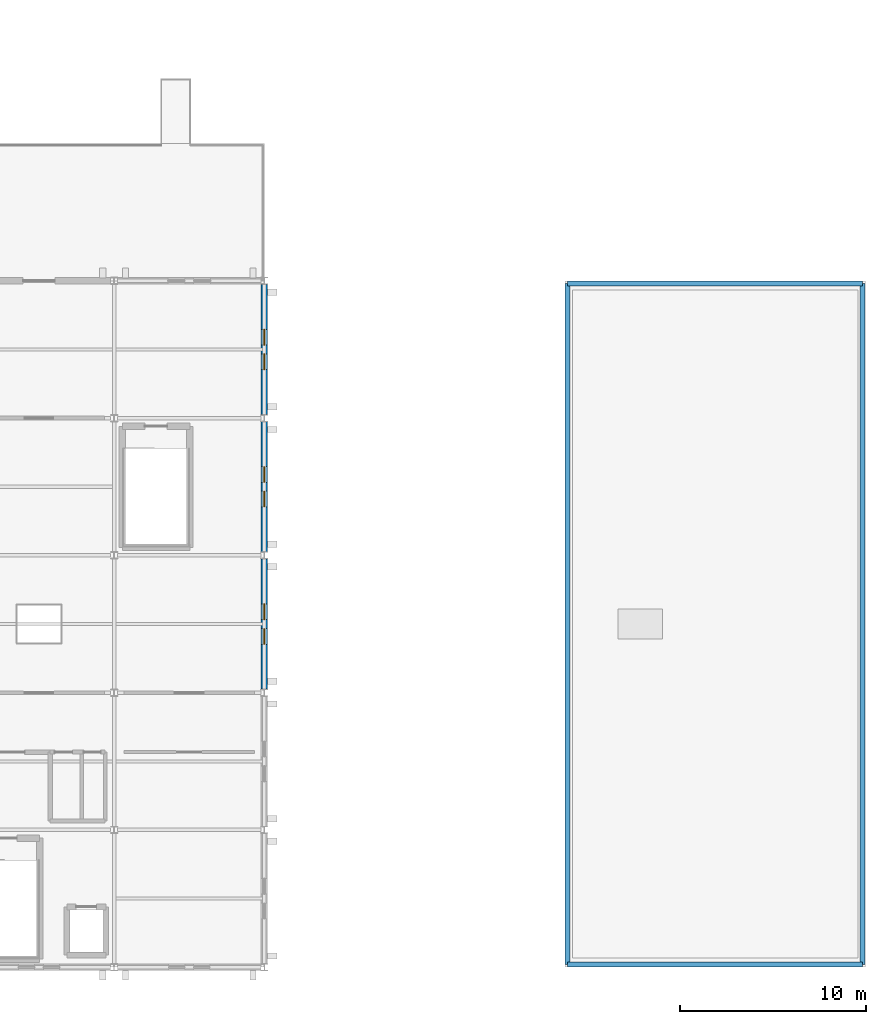
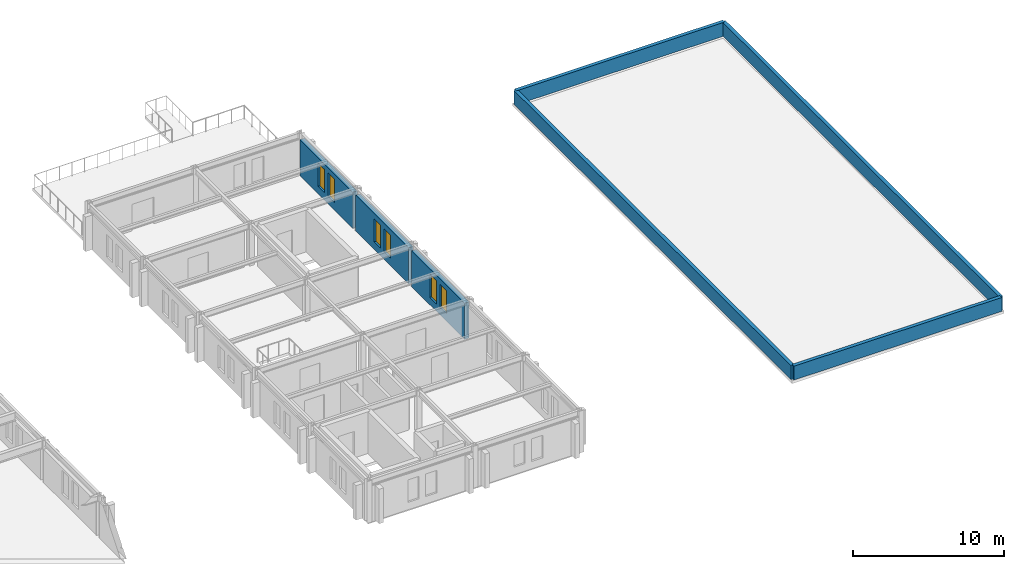
# One storey, part 15 of 19: 7 walls, 6 windows, 6 openings.
"""IFC4 building model written with IfcOpenShell, lengths in metres."""

from ifc_helpers import new_model, si_unit, direction, frame, frame_2d, origin, place, context, subcontext, project, spatial, rectangle, extrude, material, layer, layer_set, type_object, element, fill, save


model = new_model("IFC4")

# Units and contexts
model_context = context("Model", 3, precision=1e-05, world=origin(), true_north=direction((0.0, 1.0)))
body_context = subcontext(model_context, "Body", "Model", "MODEL_VIEW")
ifc_project = project(units=[si_unit("LENGTHUNIT", "METRE"), si_unit("AREAUNIT", "SQUARE_METRE"), si_unit("VOLUMEUNIT", "CUBIC_METRE"), si_unit("PLANEANGLEUNIT", "RADIAN"), si_unit("MASSUNIT", "GRAM", prefix="KILO")], contexts=[model_context])

# Site, building, storey
site_placement = place(None, origin())
site = spatial("IfcSite", under=ifc_project, at=site_placement, CompositionType="ELEMENT")
building_placement = place(site_placement, origin())
building = spatial("IfcBuilding", under=site, at=building_placement, Name="Cimatlan Art Gallery", CompositionType="ELEMENT")
storey_placement = place(building_placement, frame((0.0, 0.0, 17.39990234375)))
storey = spatial("IfcBuildingStorey", under=building, at=storey_placement, Name="L04", CompositionType="ELEMENT", Elevation=17.39990234375)

# Wall, openings, windows
ifc_material_1 = material(Name="Precast concrete C40/50", Category="concrete")
ifc_layer_1 = layer(ifc_material_1, 0.340087890625)
ifc_layer_set_1 = layer_set([ifc_layer_1], Name="Precast concrete C40/50")
wall_type_1 = type_object("IfcWallType", Name="WL-EXT-STD-340", PredefinedType="SOLIDWALL", material=ifc_layer_set_1)
wall_1_placement = place(storey_placement, frame((131.60009765625, 45.909912109375, 0.0), z_axis=(0.0, 0.0, 1.0), x_axis=(0.0, -1.0, 0.0)))
wall_1 = element("IfcWall", 1, at=wall_1_placement, inside=storey, type_object=wall_type_1, Name="WL-EXT-L04-15-05-E", PredefinedType="SOLIDWALL", context=body_context, shape_type="SweptSolid", body=[
    extrude(rectangle(XDim=7.02001953125, YDim=0.340087890625, at=frame_2d((3.510009765625, 0.0))), origin(), (0.0, 0.0, 1.0), 2.908203125),
])
opening_1_placement = place(wall_1_placement, frame((2.419921875, 0.0, 0.60009765625)))
opening_1 = element("IfcOpeningElement", 2, at=opening_1_placement, cuts=wall_1, Name="Opening WN-0387", PredefinedType="OPENING", context=body_context, shape_type="SweptSolid", body=[
    extrude(rectangle(XDim=0.85009765625, YDim=1.8798828125, at=frame_2d((0.425048828125, 0.93994140625))), frame((0.0, 0.18017578125, 0.0), z_axis=(0.0, -1.0, 0.0), x_axis=(1.0, 0.0, 0.0)), (0.0, 0.0, 1.0), 0.360107421875),
])
opening_2_placement = place(wall_1_placement, frame((3.75, 0.0, 0.60009765625)))
opening_2 = element("IfcOpeningElement", 3, at=opening_2_placement, cuts=wall_1, Name="Opening WN-0388", PredefinedType="OPENING", context=body_context, shape_type="SweptSolid", body=[
    extrude(rectangle(XDim=0.85009765625, YDim=1.8798828125, at=frame_2d((0.425048828125, 0.93994140625))), frame((0.0, 0.18017578125, 0.0), z_axis=(0.0, -1.0, 0.0), x_axis=(1.0, 0.0, 0.0)), (0.0, 0.0, 1.0), 0.360107421875),
])
ifc_material_2 = material(Name="Low-E laminated double glazing in bronze lancet frame", Category="glass")
window_type = type_object("IfcWindowType", Name="WIN-E-L04-0850X1880", PartitioningType="SINGLE_PANEL", PredefinedType="WINDOW", material=ifc_material_2)
window_1_placement = place(opening_1_placement, origin())
window_1 = element("IfcWindow", 4, at=window_1_placement, inside=storey, type_object=window_type, Name="WIN-0387", OverallHeight=1.8798828125, OverallWidth=0.85009765625, PartitioningType="SINGLE_PANEL", PredefinedType="WINDOW", context=body_context, shape_type="SweptSolid", body=[
    extrude(rectangle(XDim=0.85009765625, YDim=1.8798828125, at=frame_2d((0.425048828125, 0.93994140625))), frame((0.0, 0.030029296875, 0.0), z_axis=(0.0, -1.0, 0.0), x_axis=(1.0, 0.0, 0.0)), (0.0, 0.0, 1.0), 0.06005859375),
])
fill(opening_1, window_1)
window_2_placement = place(opening_2_placement, origin())
window_2 = element("IfcWindow", 5, at=window_2_placement, inside=storey, type_object=window_type, Name="WIN-0388", OverallHeight=1.8798828125, OverallWidth=0.85009765625, PartitioningType="SINGLE_PANEL", PredefinedType="WINDOW", context=body_context, shape_type="SweptSolid", body=[
    extrude(rectangle(XDim=0.85009765625, YDim=1.8798828125, at=frame_2d((0.425048828125, 0.93994140625))), frame((0.0, 0.030029296875, 0.0), z_axis=(0.0, -1.0, 0.0), x_axis=(1.0, 0.0, 0.0)), (0.0, 0.0, 1.0), 0.06005859375),
])
fill(opening_2, window_2)

wall_2_placement = place(storey_placement, frame((131.60009765625, 53.31005859375, 0.0), z_axis=(0.0, 0.0, 1.0), x_axis=(0.0, -1.0, 0.0)))
wall_2 = element("IfcWall", 6, at=wall_2_placement, inside=storey, type_object=wall_type_1, Name="WL-EXT-L04-15-06-E", PredefinedType="SOLIDWALL", context=body_context, shape_type="SweptSolid", body=[
    extrude(rectangle(XDim=7.02001953125, YDim=0.340087890625, at=frame_2d((3.510009765625, 0.0))), origin(), (0.0, 0.0, 1.0), 2.908203125),
])
opening_3_placement = place(wall_2_placement, frame((2.419921875, 0.0, 0.60009765625)))
opening_3 = element("IfcOpeningElement", 7, at=opening_3_placement, cuts=wall_2, Name="Opening WN-0389", PredefinedType="OPENING", context=body_context, shape_type="SweptSolid", body=[
    extrude(rectangle(XDim=0.85009765625, YDim=1.8798828125, at=frame_2d((0.425048828125, 0.93994140625))), frame((0.0, 0.18017578125, 0.0), z_axis=(0.0, -1.0, 0.0), x_axis=(1.0, 0.0, 0.0)), (0.0, 0.0, 1.0), 0.360107421875),
])
opening_4_placement = place(wall_2_placement, frame((3.75, 0.0, 0.60009765625)))
opening_4 = element("IfcOpeningElement", 8, at=opening_4_placement, cuts=wall_2, Name="Opening WN-0390", PredefinedType="OPENING", context=body_context, shape_type="SweptSolid", body=[
    extrude(rectangle(XDim=0.85009765625, YDim=1.8798828125, at=frame_2d((0.425048828125, 0.93994140625))), frame((0.0, 0.18017578125, 0.0), z_axis=(0.0, -1.0, 0.0), x_axis=(1.0, 0.0, 0.0)), (0.0, 0.0, 1.0), 0.360107421875),
])
window_3_placement = place(opening_3_placement, origin())
window_3 = element("IfcWindow", 9, at=window_3_placement, inside=storey, type_object=window_type, Name="WIN-0389", OverallHeight=1.8798828125, OverallWidth=0.85009765625, PartitioningType="SINGLE_PANEL", PredefinedType="WINDOW", context=body_context, shape_type="SweptSolid", body=[
    extrude(rectangle(XDim=0.85009765625, YDim=1.8798828125, at=frame_2d((0.425048828125, 0.93994140625))), frame((0.0, 0.030029296875, 0.0), z_axis=(0.0, -1.0, 0.0), x_axis=(1.0, 0.0, 0.0)), (0.0, 0.0, 1.0), 0.06005859375),
])
fill(opening_3, window_3)
window_4_placement = place(opening_4_placement, origin())
window_4 = element("IfcWindow", 10, at=window_4_placement, inside=storey, type_object=window_type, Name="WIN-0390", OverallHeight=1.8798828125, OverallWidth=0.85009765625, PartitioningType="SINGLE_PANEL", PredefinedType="WINDOW", context=body_context, shape_type="SweptSolid", body=[
    extrude(rectangle(XDim=0.85009765625, YDim=1.8798828125, at=frame_2d((0.425048828125, 0.93994140625))), frame((0.0, 0.030029296875, 0.0), z_axis=(0.0, -1.0, 0.0), x_axis=(1.0, 0.0, 0.0)), (0.0, 0.0, 1.0), 0.06005859375),
])
fill(opening_4, window_4)

wall_3_placement = place(storey_placement, frame((131.60009765625, 60.7099609375, 0.0), z_axis=(0.0, 0.0, 1.0), x_axis=(0.0, -1.0, 0.0)))
wall_3 = element("IfcWall", 11, at=wall_3_placement, inside=storey, type_object=wall_type_1, Name="WL-EXT-L04-15-07-E", PredefinedType="SOLIDWALL", context=body_context, shape_type="SweptSolid", body=[
    extrude(rectangle(XDim=7.02001953125, YDim=0.340087890625, at=frame_2d((3.510009765625, 0.0))), origin(), (0.0, 0.0, 1.0), 2.908203125),
])
opening_5_placement = place(wall_3_placement, frame((2.419921875, 0.0, 0.60009765625)))
opening_5 = element("IfcOpeningElement", 12, at=opening_5_placement, cuts=wall_3, Name="Opening WN-0393", PredefinedType="OPENING", context=body_context, shape_type="SweptSolid", body=[
    extrude(rectangle(XDim=0.85009765625, YDim=1.8798828125, at=frame_2d((0.425048828125, 0.93994140625))), frame((0.0, 0.18017578125, 0.0), z_axis=(0.0, -1.0, 0.0), x_axis=(1.0, 0.0, 0.0)), (0.0, 0.0, 1.0), 0.360107421875),
])
opening_6_placement = place(wall_3_placement, frame((3.75, 0.0, 0.60009765625)))
opening_6 = element("IfcOpeningElement", 13, at=opening_6_placement, cuts=wall_3, Name="Opening WN-0394", PredefinedType="OPENING", context=body_context, shape_type="SweptSolid", body=[
    extrude(rectangle(XDim=0.85009765625, YDim=1.8798828125, at=frame_2d((0.425048828125, 0.93994140625))), frame((0.0, 0.18017578125, 0.0), z_axis=(0.0, -1.0, 0.0), x_axis=(1.0, 0.0, 0.0)), (0.0, 0.0, 1.0), 0.360107421875),
])
window_5_placement = place(opening_5_placement, origin())
window_5 = element("IfcWindow", 14, at=window_5_placement, inside=storey, type_object=window_type, Name="WIN-0393", OverallHeight=1.8798828125, OverallWidth=0.85009765625, PartitioningType="SINGLE_PANEL", PredefinedType="WINDOW", context=body_context, shape_type="SweptSolid", body=[
    extrude(rectangle(XDim=0.85009765625, YDim=1.8798828125, at=frame_2d((0.425048828125, 0.93994140625))), frame((0.0, 0.030029296875, 0.0), z_axis=(0.0, -1.0, 0.0), x_axis=(1.0, 0.0, 0.0)), (0.0, 0.0, 1.0), 0.06005859375),
])
fill(opening_5, window_5)
window_6_placement = place(opening_6_placement, origin())
window_6 = element("IfcWindow", 15, at=window_6_placement, inside=storey, type_object=window_type, Name="WIN-0394", OverallHeight=1.8798828125, OverallWidth=0.85009765625, PartitioningType="SINGLE_PANEL", PredefinedType="WINDOW", context=body_context, shape_type="SweptSolid", body=[
    extrude(rectangle(XDim=0.85009765625, YDim=1.8798828125, at=frame_2d((0.425048828125, 0.93994140625))), frame((0.0, 0.030029296875, 0.0), z_axis=(0.0, -1.0, 0.0), x_axis=(1.0, 0.0, 0.0)), (0.0, 0.0, 1.0), 0.06005859375),
])
fill(opening_6, window_6)

# Walls
ifc_layer_2 = layer(ifc_material_1, 0.264892578125)
ifc_layer_set_2 = layer_set([ifc_layer_2], Name="Precast concrete C40/50")
wall_type_2 = type_object("IfcWallType", Name="WL-PAR-265", PredefinedType="PARAPET", material=ifc_layer_set_2)
wall_4_placement = place(storey_placement, frame((147.949951171875, 24.050048828125, 0.0), z_axis=(0.0, 0.0, 1.0), x_axis=(1.0, 0.0, 0.0)))
element("IfcWall", 16, at=wall_4_placement, inside=storey, type_object=wall_type_2, Name="WL-PAR-005", PredefinedType="PARAPET", context=body_context, shape_type="SweptSolid", body=[
    extrude(rectangle(XDim=15.900146484375, YDim=0.264892578125, at=frame_2d((7.9501953125, 0.0))), origin(), (0.0, 0.0, 1.0), 1.1201171875),
])
wall_5_placement = place(storey_placement, frame((163.85009765625, 24.050048828125, 0.0), z_axis=(0.0, 0.0, 1.0), x_axis=(0.0, 1.0, 0.0)))
element("IfcWall", 17, at=wall_5_placement, inside=storey, type_object=wall_type_2, Name="WL-PAR-006", PredefinedType="PARAPET", context=body_context, shape_type="SweptSolid", body=[
    extrude(rectangle(XDim=36.699951171875, YDim=0.264892578125, at=frame_2d((18.35009765625, 0.0))), origin(), (0.0, 0.0, 1.0), 1.1201171875),
])
wall_6_placement = place(storey_placement, frame((163.85009765625, 60.75, 0.0), z_axis=(0.0, 0.0, 1.0), x_axis=(-1.0, 0.0, 0.0)))
element("IfcWall", 18, at=wall_6_placement, inside=storey, type_object=wall_type_2, Name="WL-PAR-007", PredefinedType="PARAPET", context=body_context, shape_type="SweptSolid", body=[
    extrude(rectangle(XDim=15.900146484375, YDim=0.264892578125, at=frame_2d((7.9501953125, 0.0))), origin(), (0.0, 0.0, 1.0), 1.1201171875),
])
wall_7_placement = place(storey_placement, frame((147.949951171875, 60.75, 0.0), z_axis=(0.0, 0.0, 1.0), x_axis=(0.0, -1.0, 0.0)))
element("IfcWall", 19, at=wall_7_placement, inside=storey, type_object=wall_type_2, Name="WL-PAR-008", PredefinedType="PARAPET", context=body_context, shape_type="SweptSolid", body=[
    extrude(rectangle(XDim=36.699951171875, YDim=0.264892578125, at=frame_2d((18.35009765625, 0.0))), origin(), (0.0, 0.0, 1.0), 1.1201171875),
])

save(model, "model.ifc")
